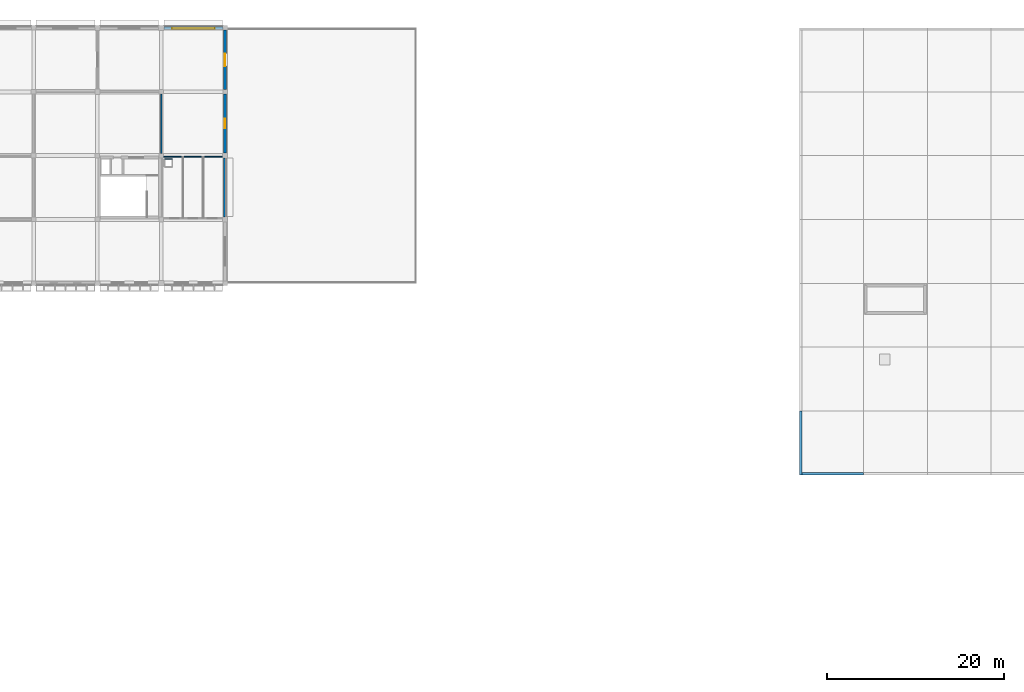
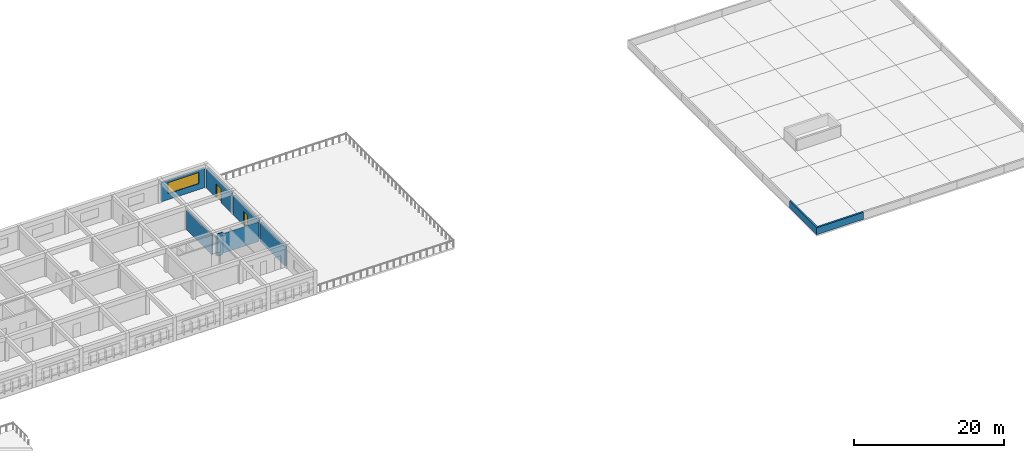
# One storey, part 18 of 22: 9 walls, 2 doors, 1 window, 3 openings.
"""IFC4 building model written with IfcOpenShell, lengths in metres."""

from ifc_helpers import new_model, si_unit, direction, frame, frame_2d, origin, place, context, subcontext, project, spatial, rectangle, extrude, material, layer, layer_set, type_object, element, fill, save


model = new_model("IFC4")

# Units and contexts
model_context = context("Model", 3, precision=1e-05, world=origin(), true_north=direction((0.0, 1.0)))
body_context = subcontext(model_context, "Body", "Model", "MODEL_VIEW")
ifc_project = project(units=[si_unit("LENGTHUNIT", "METRE"), si_unit("AREAUNIT", "SQUARE_METRE"), si_unit("VOLUMEUNIT", "CUBIC_METRE"), si_unit("PLANEANGLEUNIT", "RADIAN"), si_unit("MASSUNIT", "GRAM", prefix="KILO")], contexts=[model_context])

# Site, building, storey
site_placement = place(None, origin())
site = spatial("IfcSite", under=ifc_project, at=site_placement, CompositionType="ELEMENT")
building_placement = place(site_placement, origin())
building = spatial("IfcBuilding", under=site, at=building_placement, Name="Thalmaran Polytechnic", CompositionType="ELEMENT")
storey_placement = place(building_placement, frame((0.0, 0.0, 22.800048828125)))
storey = spatial("IfcBuildingStorey", under=building, at=storey_placement, Name="L05", CompositionType="ELEMENT", Elevation=22.800048828125)

# Wall, opening, door
ifc_material_1 = material(Name="Precast concrete C40/50", Category="concrete")
ifc_layer_1 = layer(ifc_material_1, 0.330078125, Name="Precast concrete C40/50")
ifc_layer_set_1 = layer_set([ifc_layer_1], Name="Precast concrete C40/50")
wall_type_1 = type_object("IfcWallType", Name="WL-EW02", PredefinedType="STANDARD", material=ifc_layer_set_1)
wall_1_placement = place(storey_placement, frame((72.0, 122.14990234375, 0.0), z_axis=(0.0, 0.0, 1.0), x_axis=(0.0, -1.0, 0.0)))
wall_1 = element("IfcWall", 1, at=wall_1_placement, inside=storey, type_object=wall_type_1, Name="Terrace Access Wall L05-021", PredefinedType="STANDARD", context=body_context, shape_type="SweptSolid", body=[
    extrude(rectangle(XDim=6.68994140625, YDim=0.330078125, at=frame_2d((3.344970703125, 0.0))), origin(), (0.0, 0.0, 1.0), 3.094970703125),
])
opening_1_placement = place(wall_1_placement, frame((2.64501953125, 0.0, 0.0)))
opening_1 = element("IfcOpeningElement", 2, at=opening_1_placement, cuts=wall_1, Name="Opening TD-015", PredefinedType="OPENING", context=body_context, shape_type="SweptSolid", body=[
    extrude(rectangle(XDim=1.39990234375, YDim=2.25, at=frame_2d((0.699951171875, 1.125))), frame((0.0, 0.175048828125, 0.0), z_axis=(0.0, -1.0, 0.0), x_axis=(1.0, 0.0, 0.0)), (0.0, 0.0, 1.0), 0.35009765625),
])
ifc_material_2 = material(Name="Anodised aluminium and safety glass", Category="aluminium")
door_type_1 = type_object("IfcDoorType", Name="DR-TD01", OperationType="NOTDEFINED", PredefinedType="DOOR", material=ifc_material_2)
door_1_placement = place(opening_1_placement, origin())
door_1 = element("IfcDoor", 3, at=door_1_placement, inside=storey, type_object=door_type_1, Name="Terrace Access Door TD-015", OperationType="SINGLE_SWING_LEFT", OverallHeight=2.25, OverallWidth=1.39990234375, PredefinedType="DOOR", context=body_context, shape_type="SweptSolid", body=[
    extrude(rectangle(XDim=1.39990234375, YDim=2.25, at=frame_2d((0.699951171875, 1.125))), frame((0.0, 0.02490234375, 0.0), z_axis=(0.0, -1.0, 0.0), x_axis=(1.0, 0.0, 0.0)), (0.0, 0.0, 1.0), 0.050048828125),
])
fill(opening_1, door_1)

wall_2_placement = place(storey_placement, frame((72.0, 114.93994140625, 0.0), z_axis=(0.0, 0.0, 1.0), x_axis=(0.0, -1.0, 0.0)))
wall_2 = element("IfcWall", 4, at=wall_2_placement, inside=storey, type_object=wall_type_1, Name="Terrace Access Wall L05-022", PredefinedType="STANDARD", context=body_context, shape_type="SweptSolid", body=[
    extrude(rectangle(XDim=6.6650390625, YDim=0.330078125, at=frame_2d((3.33251953125, 0.0))), origin(), (0.0, 0.0, 1.0), 3.094970703125),
])
opening_2_placement = place(wall_2_placement, frame((2.782470703125, 0.0, 0.0)))
opening_2 = element("IfcOpeningElement", 5, at=opening_2_placement, cuts=wall_2, Name="Opening TD-016", PredefinedType="OPENING", context=body_context, shape_type="SweptSolid", body=[
    extrude(rectangle(XDim=1.10009765625, YDim=2.199951171875, at=frame_2d((0.550048828125, 1.10009765625))), frame((0.0, 0.175048828125, 0.0), z_axis=(0.0, -1.0, 0.0), x_axis=(1.0, 0.0, 0.0)), (0.0, 0.0, 1.0), 0.35009765625),
])
door_type_2 = type_object("IfcDoorType", Name="DR-TD02", OperationType="NOTDEFINED", PredefinedType="DOOR", material=ifc_material_2)
door_2_placement = place(opening_2_placement, origin())
door_2 = element("IfcDoor", 6, at=door_2_placement, inside=storey, type_object=door_type_2, Name="Terrace Access Door TD-016", OperationType="SINGLE_SWING_RIGHT", OverallHeight=2.199951171875, OverallWidth=1.10009765625, PredefinedType="DOOR", context=body_context, shape_type="SweptSolid", body=[
    extrude(rectangle(XDim=1.10009765625, YDim=2.199951171875, at=frame_2d((0.550048828125, 1.10009765625))), frame((0.0, 0.02490234375, 0.0), z_axis=(0.0, -1.0, 0.0), x_axis=(1.0, 0.0, 0.0)), (0.0, 0.0, 1.0), 0.050048828125),
])
fill(opening_2, door_2)

# Wall, opening, window
ifc_layer_2 = layer(ifc_material_1, 0.31005859375, Name="Precast concrete C40/50")
ifc_layer_set_2 = layer_set([ifc_layer_2], Name="Precast concrete C40/50")
wall_type_2 = type_object("IfcWallType", Name="WL-EW03", PredefinedType="STANDARD", material=ifc_layer_set_2)
wall_3_placement = place(storey_placement, frame((65.090087890625, 122.39990234375, 0.0), z_axis=(0.0, 0.0, 1.0), x_axis=(1.0, 0.0, 0.0)))
wall_3 = element("IfcWall", 7, at=wall_3_placement, inside=storey, type_object=wall_type_2, Name="Exterior Precast Facade Wall L05-020", PredefinedType="STANDARD", context=body_context, shape_type="SweptSolid", body=[
    extrude(rectangle(XDim=6.659912109375, YDim=0.31005859375, at=frame_2d((3.330078125, 0.0))), origin(), (0.0, 0.0, 1.0), 3.094970703125),
])
opening_3_placement = place(wall_3_placement, frame((0.929931640625, 0.0, 0.97998046875)))
opening_3 = element("IfcOpeningElement", 8, at=opening_3_placement, cuts=wall_3, Name="Opening RW07", PredefinedType="OPENING", context=body_context, shape_type="SweptSolid", body=[
    extrude(rectangle(XDim=4.800048828125, YDim=1.800048828125, at=frame_2d((2.39990234375, 0.89990234375))), frame((0.0, 0.1650390625, 0.0), z_axis=(0.0, -1.0, 0.0), x_axis=(1.0, 0.0, 0.0)), (0.0, 0.0, 1.0), 0.330078125),
])
ifc_material_3 = material(Name="Thermally broken aluminium and double low-E glass", Category="aluminium")
window_type = type_object("IfcWindowType", Name="WN-RW07", PartitioningType="TRIPLE_PANEL_HORIZONTAL", PredefinedType="WINDOW", material=ifc_material_3)
window_placement = place(opening_3_placement, origin())
window = element("IfcWindow", 9, at=window_placement, inside=storey, type_object=window_type, Name="Streamline Ribbon Window W-0670", OverallHeight=1.800048828125, OverallWidth=4.800048828125, PartitioningType="SINGLE_PANEL", PredefinedType="WINDOW", context=body_context, shape_type="SweptSolid", body=[
    extrude(rectangle(XDim=4.800048828125, YDim=1.800048828125, at=frame_2d((2.39990234375, 0.89990234375))), frame((0.0, -0.030029296875, 0.0), z_axis=(0.0, -1.0, 0.0), x_axis=(1.0, 0.0, 0.0)), (0.0, 0.0, 1.0), 0.06005859375),
])
fill(opening_3, window)

# Walls
wall_4_placement = place(storey_placement, frame((72.0, 107.72509765625, 0.0), z_axis=(0.0, 0.0, 1.0), x_axis=(0.0, -1.0, 0.0)))
element("IfcWall", 10, at=wall_4_placement, inside=storey, type_object=wall_type_2, Name="Exterior Precast Facade Wall L05-023", PredefinedType="STANDARD", context=body_context, shape_type="SweptSolid", body=[
    extrude(rectangle(XDim=6.635009765625, YDim=0.31005859375, at=frame_2d((3.3173828125, 0.0))), origin(), (0.0, 0.0, 1.0), 3.094970703125),
])
ifc_material_4 = material(Name="Gypsum acoustic partition")
ifc_layer_3 = layer(ifc_material_4, 0.159912109375, Name="Gypsum acoustic partition")
ifc_layer_set_3 = layer_set([ifc_layer_3], Name="Gypsum acoustic partition")
wall_type_3 = type_object("IfcWallType", Name="WL-IW05", PredefinedType="PARTITIONING", material=ifc_layer_set_3)
wall_5_placement = place(storey_placement, frame((64.800048828125, 108.264892578125, 0.0), z_axis=(0.0, 0.0, 1.0), x_axis=(0.0, 1.0, 0.0)))
element("IfcWall", 11, at=wall_5_placement, inside=storey, type_object=wall_type_3, Name="Interior Partition IW05 L05-035", PredefinedType="PARTITIONING", context=body_context, shape_type="SweptSolid", body=[
    extrude(rectangle(XDim=6.68017578125, YDim=0.159912109375, at=frame_2d((3.340087890625, 0.0))), origin(), (0.0, 0.0, 1.0), 3.27001953125),
])
ifc_layer_4 = layer(ifc_material_4, 0.114990234375, Name="Gypsum acoustic partition")
ifc_layer_set_4 = layer_set([ifc_layer_4], Name="Gypsum acoustic partition")
wall_type_4 = type_object("IfcWallType", Name="WL-IW08", PredefinedType="PARTITIONING", material=ifc_layer_set_4)
wall_6_placement = place(storey_placement, frame((65.06494140625, 107.8798828125, 0.0), z_axis=(0.0, 0.0, 1.0), x_axis=(1.0, 0.0, 0.0)))
element("IfcWall", 12, at=wall_6_placement, inside=storey, type_object=wall_type_4, Name="Sanitary Core Wall L05-W2-N", PredefinedType="PARTITIONING", context=body_context, shape_type="SweptSolid", body=[
    extrude(rectangle(XDim=6.655029296875, YDim=0.114990234375, at=frame_2d((3.32763671875, 0.0))), origin(), (0.0, 0.0, 1.0), 3.179931640625),
])
ifc_material_5 = material(Name="Moisture-resistant partition")
ifc_layer_5 = layer(ifc_material_5, 0.10009765625, Name="Moisture-resistant partition")
ifc_layer_set_5 = layer_set([ifc_layer_5], Name="Moisture-resistant partition")
wall_type_5 = type_object("IfcWallType", Name="WL-IW09", PredefinedType="PARTITIONING", material=ifc_layer_set_5)
wall_7_placement = place(storey_placement, frame((66.010009765625, 107.610107421875, 0.0), z_axis=(0.0, 0.0, 1.0), x_axis=(-1.0, 0.0, 0.0)))
element("IfcWall", 13, at=wall_7_placement, inside=storey, type_object=wall_type_5, Name="Plumbing Riser Chase Wall L05-W2-N", PredefinedType="PARTITIONING", context=body_context, shape_type="SweptSolid", body=[
    extrude(rectangle(XDim=0.820068359375, YDim=0.10009765625, at=frame_2d((0.41015625, 0.0))), origin(), (0.0, 0.0, 1.0), 3.669921875),
])
ifc_layer_6 = layer(ifc_material_1, 0.260009765625, Name="Precast concrete C40/50")
ifc_layer_set_6 = layer_set([ifc_layer_6], Name="Precast concrete C40/50")
wall_type_6 = type_object("IfcWallType", Name="WL-PW01", PredefinedType="PARAPET", material=ifc_layer_set_6)
for number, where, z_axis, x_axis, name in (
    (14, (144.0, 72.1298828125, 0.0), (0.0, 0.0, 1.0), (-1.0, 0.0, 0.0), "Roof Parapet Wall L05-1"),
    (15, (136.929931640625, 72.0, 0.0), (0.0, 0.0, 1.0), (0.0, 1.0, 0.0), "Roof Parapet Wall L05-1"),
):
    element("IfcWall", number, at=place(storey_placement, frame(where, z_axis=z_axis, x_axis=x_axis)), inside=storey, type_object=wall_type_6, Name=name, PredefinedType="PARAPET", context=body_context, shape_type="SweptSolid", body=[
        extrude(rectangle(XDim=7.199951171875, YDim=0.260009765625, at=frame_2d((3.60009765625, 0.0))), origin(), (0.0, 0.0, 1.0), 1.14990234375),
    ])

save(model, "model.ifc")
